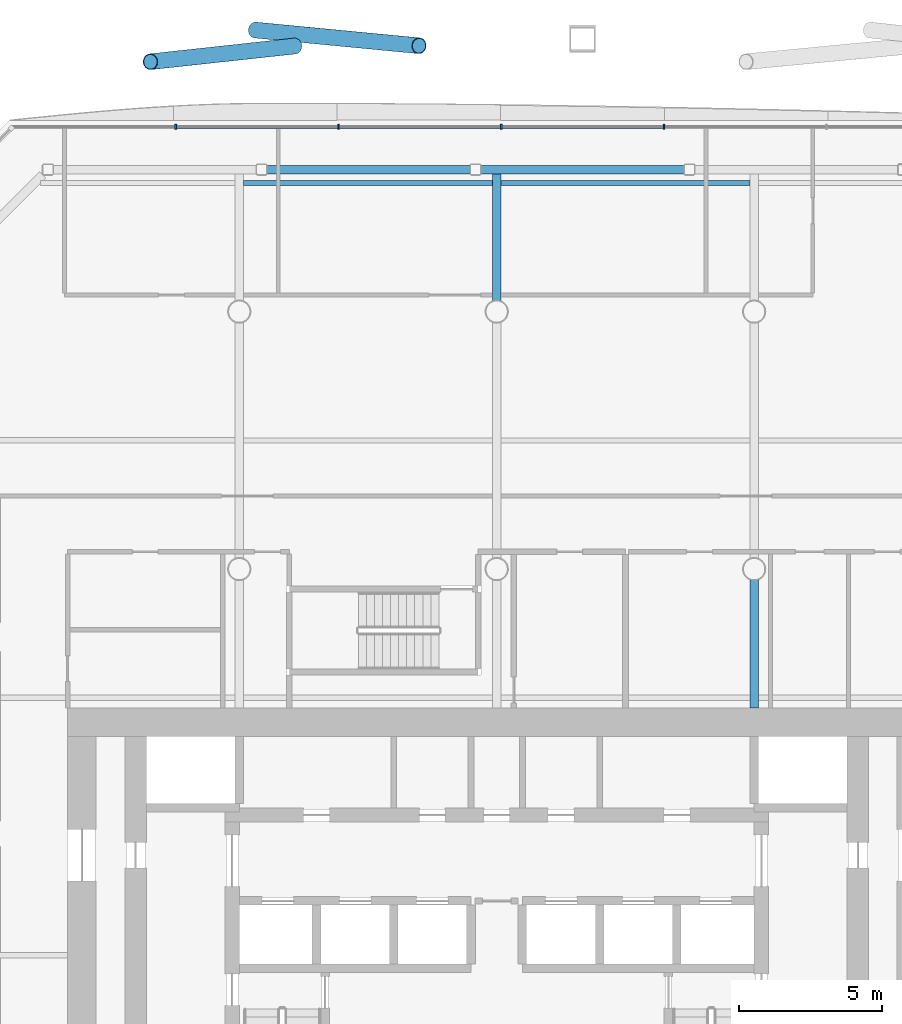
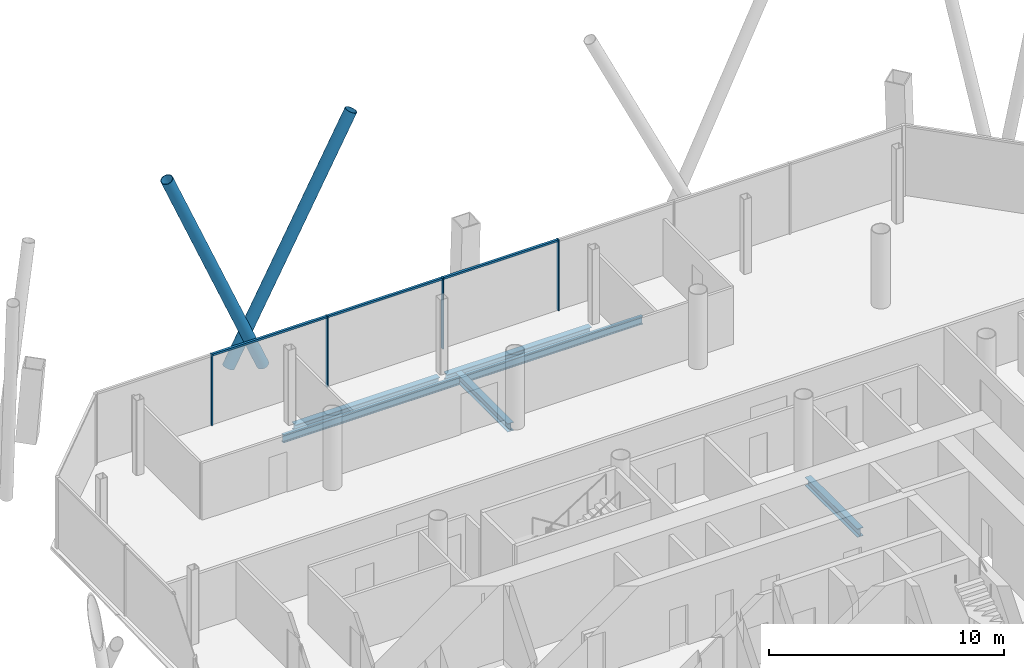
# One storey, part 10 of 22: 9 members, 6 beams, 1 element without a shape of its own.
"""IFC4 building model written with IfcOpenShell, lengths in metres."""

from ifc_helpers import new_model, si_unit, direction, frame, origin, origin_2d, place, context, subcontext, project, spatial, rectangle, hollow_circle, i_section, extrude, material, material_profile, profile_set, type_object, element, aggregate, save


model = new_model("IFC4")

# Units and contexts
model_context = context("Model", 3, precision=1e-05, world=origin(), true_north=direction((0.0, 1.0)))
body_context = subcontext(model_context, "Body", "Model", "MODEL_VIEW")
ifc_project = project(units=[si_unit("LENGTHUNIT", "METRE"), si_unit("AREAUNIT", "SQUARE_METRE"), si_unit("VOLUMEUNIT", "CUBIC_METRE"), si_unit("PLANEANGLEUNIT", "RADIAN"), si_unit("MASSUNIT", "GRAM", prefix="KILO")], contexts=[model_context])

# Site, building, storey
site_placement = place(None, origin())
site = spatial("IfcSite", under=ifc_project, at=site_placement, CompositionType="ELEMENT")
building_placement = place(site_placement, origin())
building = spatial("IfcBuilding", under=site, at=building_placement, Name="Tskaro Facet Tower", CompositionType="ELEMENT")
storey_placement = place(building_placement, frame((0.0, 0.0, 85.5)))
storey = spatial("IfcBuildingStorey", under=building, at=storey_placement, Name="L20", CompositionType="ELEMENT", Elevation=85.5)

# Members
ifc_material_1 = material(Name="Steel S355J2H", Category="steel")
ifc_material_profile_1 = material_profile(ifc_material_1, hollow_circle(Radius=0.279541015625, WallThickness=0.02490234375, at=origin_2d()), Name="CHS 559x25")
ifc_profile_set_1 = profile_set([ifc_material_profile_1], Name="Steel S355J2H")
member_type_1 = type_object("IfcMemberType", Name="CHS 559x25 brace", PredefinedType="BRACE", material=ifc_profile_set_1)
member_1_placement = place(storey_placement, frame((-7.070556640625, 27.283447265625, 0.0), z_axis=(-0.394939364792, -0.042971486355, 0.917701666937), x_axis=(0.108166887644, -0.994132749897, 0.0)))
element("IfcMember", 1, at=member_1_placement, inside=storey, type_object=member_type_1, Name="CHS 559x25 XB08A/2", PredefinedType="BRACE", context=body_context, shape_type="SweptSolid", body=[
    extrude(hollow_circle(Radius=0.279541015625, WallThickness=0.02490234375, at=origin_2d()), origin(), (0.0, 0.0, 1.0), 12.749267578125),
])
member_2_placement = place(storey_placement, frame((-8.429443359375, 27.842529296875, 0.0), z_axis=(0.438488546732, -0.042056085249, 0.897752237579), x_axis=(0.095473354483, 0.995431985916, 0.0)))
element("IfcMember", 2, at=member_2_placement, inside=storey, type_object=member_type_1, Name="CHS 559x25 XB08B/2", PredefinedType="BRACE", context=body_context, shape_type="SweptSolid", body=[
    extrude(hollow_circle(Radius=0.279541015625, WallThickness=0.02490234375, at=origin_2d()), origin(), (0.0, 0.0, 1.0), 13.032470703125),
])

# Curtain wall, members
ifc_material_2 = material(Name="Bronze anodised aluminium 6063-T6", Category="aluminium")
curtain_wall_type = type_object("IfcCurtainWallType", Name="Bronze office curtain wall (FW1)", PredefinedType="NOTDEFINED", material=ifc_material_2)
curtain_wall_placement = place(storey_placement, origin())
curtain_wall = element("IfcCurtainWall", 3, at=curtain_wall_placement, inside=storey, type_object=curtain_wall_type, Name="FW1 north facet L20", PredefinedType="NOTDEFINED")
ifc_material_profile_2 = material_profile(ifc_material_2, rectangle(XDim=0.06005859375, YDim=0.159912109375, at=origin_2d()), Name="Mullion 60x160")
ifc_profile_set_2 = profile_set([ifc_material_profile_2], Name="Bronze anodised aluminium 6063-T6")
member_type_2 = type_object("IfcMemberType", Name="FW1 bronze mullion 60x160", PredefinedType="MULLION", material=ifc_profile_set_2)
member_3_placement = place(storey_placement, frame((5.8447265625, 24.462890625, 0.0), z_axis=(0.0, 0.0, 1.0), x_axis=(-1.0, 0.0, 0.0)))
member_3 = element("IfcMember", 4, at=member_3_placement, type_object=member_type_2, Name="FW1 north mullion 3", PredefinedType="MULLION", context=body_context, shape_type="SweptSolid", body=[
    extrude(rectangle(XDim=0.06005859375, YDim=0.159912109375, at=origin_2d()), origin(), (0.0, 0.0, 1.0), 3.699951171875),
])
member_4_placement = place(storey_placement, frame((0.1552734375, 24.462890625, 0.0), z_axis=(0.0, 0.0, 1.0), x_axis=(-1.0, 0.0, 0.0)))
member_4 = element("IfcMember", 5, at=member_4_placement, type_object=member_type_2, Name="FW1 north mullion 4", PredefinedType="MULLION", context=body_context, shape_type="SweptSolid", body=[
    extrude(rectangle(XDim=0.06005859375, YDim=0.159912109375, at=origin_2d()), origin(), (0.0, 0.0, 1.0), 3.699951171875),
])
member_5_placement = place(storey_placement, frame((-5.5341796875, 24.462890625, 0.0), z_axis=(0.0, 0.0, 1.0), x_axis=(-1.0, 0.0, 0.0)))
member_5 = element("IfcMember", 6, at=member_5_placement, type_object=member_type_2, Name="FW1 north mullion 5", PredefinedType="MULLION", context=body_context, shape_type="SweptSolid", body=[
    extrude(rectangle(XDim=0.06005859375, YDim=0.159912109375, at=origin_2d()), origin(), (0.0, 0.0, 1.0), 3.699951171875),
])
member_6_placement = place(storey_placement, frame((-11.2236328125, 24.462890625, 0.0), z_axis=(0.0, 0.0, 1.0), x_axis=(-1.0, 0.0, 0.0)))
member_6 = element("IfcMember", 7, at=member_6_placement, type_object=member_type_2, Name="FW1 north mullion 6", PredefinedType="MULLION", context=body_context, shape_type="SweptSolid", body=[
    extrude(rectangle(XDim=0.06005859375, YDim=0.159912109375, at=origin_2d()), origin(), (0.0, 0.0, 1.0), 3.699951171875),
])
ifc_material_profile_3 = material_profile(ifc_material_2, rectangle(XDim=0.1201171875, YDim=0.10009765625, at=origin_2d()), Name="Transom 120x100")
ifc_profile_set_3 = profile_set([ifc_material_profile_3], Name="Bronze anodised aluminium 6063-T6")
member_type_3 = type_object("IfcMemberType", Name="FW1 bronze transom 120x100", PredefinedType="USERDEFINED", material=ifc_profile_set_3)
member_7_placement = place(storey_placement, frame((5.814697265625, 24.462890625, 3.64990234375), z_axis=(-1.0, 0.0, 0.0), x_axis=(0.0, -1.0, 0.0)))
member_7 = element("IfcMember", 8, at=member_7_placement, type_object=member_type_3, Name="FW1 north transom 4.1", ObjectType="TRANSOM", PredefinedType="USERDEFINED", context=body_context, shape_type="SweptSolid", body=[
    extrude(rectangle(XDim=0.1201171875, YDim=0.10009765625, at=origin_2d()), origin(), (0.0, 0.0, 1.0), 5.62939453125),
])
member_8_placement = place(storey_placement, frame((0.125244140625, 24.462890625, 3.64990234375), z_axis=(-1.0, 0.0, 0.0), x_axis=(0.0, -1.0, 0.0)))
member_8 = element("IfcMember", 9, at=member_8_placement, type_object=member_type_3, Name="FW1 north transom 5.1", ObjectType="TRANSOM", PredefinedType="USERDEFINED", context=body_context, shape_type="SweptSolid", body=[
    extrude(rectangle(XDim=0.1201171875, YDim=0.10009765625, at=origin_2d()), origin(), (0.0, 0.0, 1.0), 5.62939453125),
])
member_9_placement = place(storey_placement, frame((-5.564208984375, 24.462890625, 3.64990234375), z_axis=(-1.0, 0.0, 0.0), x_axis=(0.0, -1.0, 0.0)))
member_9 = element("IfcMember", 10, at=member_9_placement, type_object=member_type_3, Name="FW1 north transom 6.1", ObjectType="TRANSOM", PredefinedType="USERDEFINED", context=body_context, shape_type="SweptSolid", body=[
    extrude(rectangle(XDim=0.1201171875, YDim=0.10009765625, at=origin_2d()), origin(), (0.0, 0.0, 1.0), 5.62939453125),
])
aggregate(curtain_wall, [member_3, member_4, member_5, member_6, member_7, member_8, member_9])

# Beams
ifc_material_3 = material(Name="Steel S355J2", Category="steel")
ifc_material_profile_4 = material_profile(ifc_material_3, i_section(OverallWidth=0.300048828125, OverallDepth=0.360107421875, WebThickness=0.012451171875, FlangeThickness=0.0224609375, FilletRadius=0.027099609375, at=origin_2d()), Name="HE 360 B")
ifc_profile_set_4 = profile_set([ifc_material_profile_4], Name="Steel S355J2")
beam_type_1 = type_object("IfcBeamType", Name="HE 360 B ring beam", PredefinedType="BEAM", material=ifc_profile_set_4)
beam_1_placement = place(storey_placement, frame((6.55810546875, 22.965087890625, -0.320068359375), z_axis=(-1.0, 0.0, 0.0), x_axis=(0.0, -1.0, 0.0)))
element("IfcBeam", 11, at=beam_1_placement, inside=storey, type_object=beam_type_1, Name="HE 360 B EB15-2", PredefinedType="BEAM", context=body_context, shape_type="SweptSolid", body=[
    extrude(i_section(OverallWidth=0.300048828125, OverallDepth=0.360107421875, WebThickness=0.012451171875, FlangeThickness=0.0224609375, FilletRadius=0.027099609375, at=origin_2d()), origin(), (0.0, 0.0, 1.0), 7.1162109375),
])
beam_2_placement = place(storey_placement, frame((-0.91796875, 22.965087890625, -0.320068359375), z_axis=(-1.0, 0.0, 0.0), x_axis=(0.0, -1.0, 0.0)))
element("IfcBeam", 12, at=beam_2_placement, inside=storey, type_object=beam_type_1, Name="HE 360 B EB16-2", PredefinedType="BEAM", context=body_context, shape_type="SweptSolid", body=[
    extrude(i_section(OverallWidth=0.300048828125, OverallDepth=0.360107421875, WebThickness=0.012451171875, FlangeThickness=0.0224609375, FilletRadius=0.027099609375, at=origin_2d()), origin(), (0.0, 0.0, 1.0), 7.115966796875),
])
ifc_material_profile_5 = material_profile(ifc_material_3, i_section(OverallWidth=0.300048828125, OverallDepth=0.43994140625, WebThickness=0.011474609375, FlangeThickness=0.02099609375, FilletRadius=0.027099609375, at=origin_2d()), Name="HE 450 A")
ifc_profile_set_5 = profile_set([ifc_material_profile_5], Name="Steel S355J2")
beam_type_2 = type_object("IfcBeamType", Name="HE 450 A girder", PredefinedType="BEAM", material=ifc_profile_set_5)
beam_3_placement = place(storey_placement, frame((0.0, 18.37646484375, -0.360107421875), z_axis=(0.0, 1.0, 0.0), x_axis=(-1.0, 0.0, 0.0)))
element("IfcBeam", 13, at=beam_3_placement, inside=storey, type_object=beam_type_2, Name="HE 450 A GB4-5-2", PredefinedType="BEAM", context=body_context, shape_type="SweptSolid", body=[
    extrude(i_section(OverallWidth=0.300048828125, OverallDepth=0.43994140625, WebThickness=0.011474609375, FlangeThickness=0.02099609375, FilletRadius=0.027099609375, at=origin_2d()), origin(), (0.0, 0.0, 1.0), 4.4384765625),
])
beam_4_placement = place(storey_placement, frame((9.0, 4.14990234375, -0.360107421875), z_axis=(0.0, 1.0, 0.0), x_axis=(-1.0, 0.0, 0.0)))
element("IfcBeam", 14, at=beam_4_placement, inside=storey, type_object=beam_type_2, Name="HE 450 A GB5-3-2", PredefinedType="BEAM", context=body_context, shape_type="SweptSolid", body=[
    extrude(i_section(OverallWidth=0.300048828125, OverallDepth=0.43994140625, WebThickness=0.011474609375, FlangeThickness=0.02099609375, FilletRadius=0.027099609375, at=origin_2d()), origin(), (0.0, 0.0, 1.0), 4.4736328125),
])
ifc_material_profile_6 = material_profile(ifc_material_3, i_section(OverallWidth=0.179931640625, OverallDepth=0.39990234375, WebThickness=0.008544921875, FlangeThickness=0.013427734375, FilletRadius=0.02099609375, at=origin_2d()), Name="IPE 400")
ifc_profile_set_6 = profile_set([ifc_material_profile_6], Name="Steel S355J2")
beam_type_3 = type_object("IfcBeamType", Name="IPE 400 secondary beam", PredefinedType="BEAM", material=ifc_profile_set_6)
for number, where, z_axis, x_axis, name in (
    (15, (-8.85009765625, 22.5, -0.340087890625), (1.0, 0.0, 0.0), (0.0, 1.0, 0.0), "IPE 400 SB6a-2-2"),
    (16, (0.14990234375, 22.5, -0.340087890625), (1.0, 0.0, 0.0), (0.0, 1.0, 0.0), "IPE 400 SB6a-3-2"),
):
    element("IfcBeam", number, at=place(storey_placement, frame(where, z_axis=z_axis, x_axis=x_axis)), inside=storey, type_object=beam_type_3, Name=name, PredefinedType="BEAM", context=body_context, shape_type="SweptSolid", body=[
        extrude(i_section(OverallWidth=0.179931640625, OverallDepth=0.39990234375, WebThickness=0.008544921875, FlangeThickness=0.013427734375, FilletRadius=0.02099609375, at=origin_2d()), origin(), (0.0, 0.0, 1.0), 8.7001953125),
    ])

save(model, "model.ifc")
